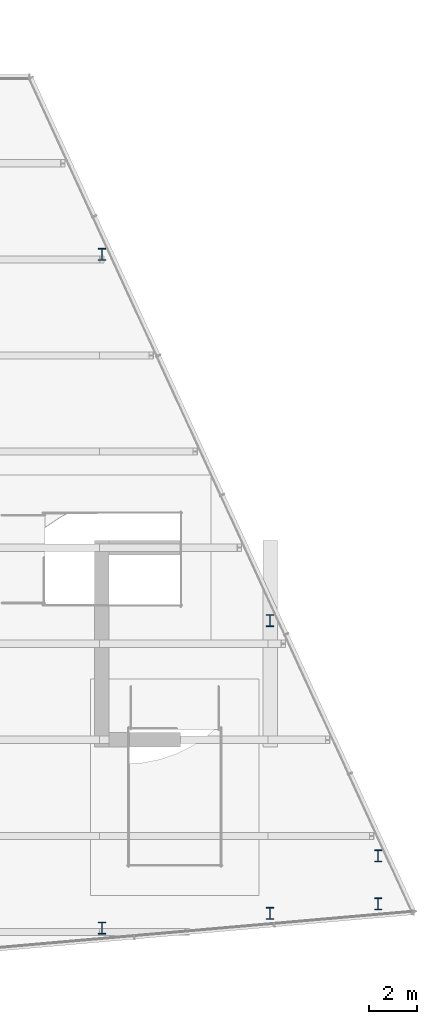
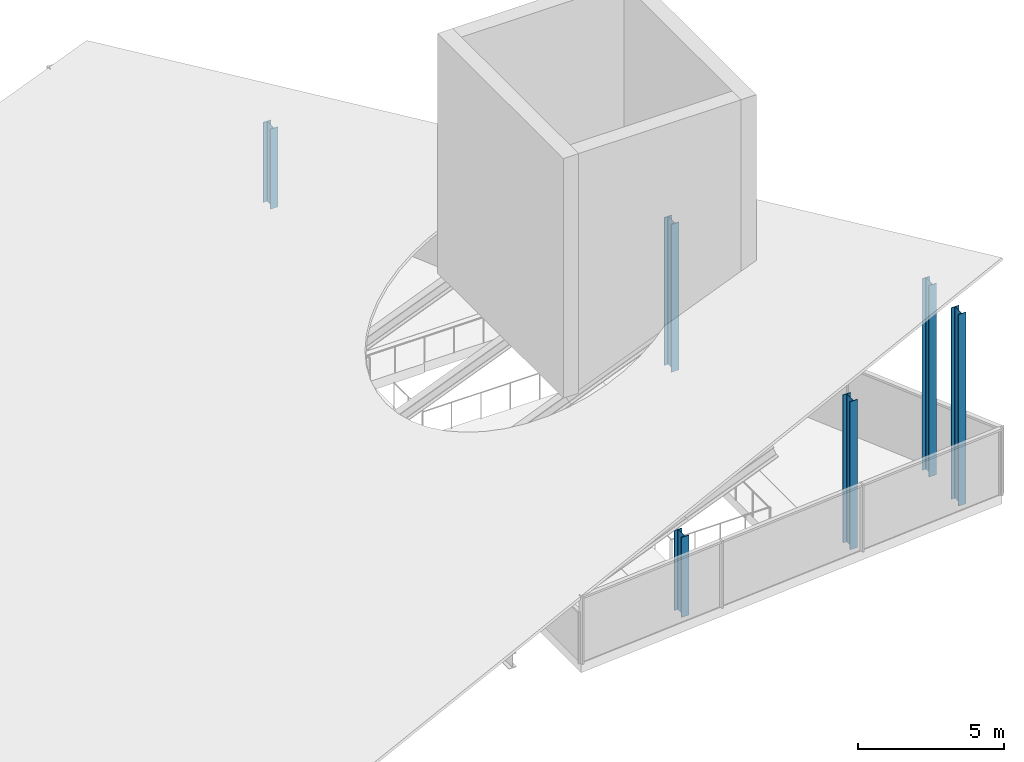
# One storey, part 1 of 8: 6 columns.
"""IFC4 building model written with IfcOpenShell, lengths in metres."""

from ifc_helpers import new_model, si_unit, direction, frame, origin, origin_2d, place, context, subcontext, project, spatial, i_section, extrude, material, material_profile, profile_set, type_object, element, save


model = new_model("IFC4")

# Units and contexts
model_context = context("Model", 3, precision=1e-05, world=origin(), true_north=direction((0.0, 1.0)))
body_context = subcontext(model_context, "Body", "Model", "MODEL_VIEW")
ifc_project = project(units=[si_unit("LENGTHUNIT", "METRE"), si_unit("AREAUNIT", "SQUARE_METRE"), si_unit("VOLUMEUNIT", "CUBIC_METRE"), si_unit("PLANEANGLEUNIT", "RADIAN"), si_unit("MASSUNIT", "GRAM", prefix="KILO")], contexts=[model_context])

# Site, building, storey
site_placement = place(None, origin())
site = spatial("IfcSite", under=ifc_project, at=site_placement, CompositionType="ELEMENT")
building_placement = place(site_placement, origin())
building = spatial("IfcBuilding", under=site, at=building_placement, Name="Wharfspan Tower", CompositionType="ELEMENT")
storey_placement = place(building_placement, frame((0.0, 0.0, 277.100098)))
storey = spatial("IfcBuildingStorey", under=building, at=storey_placement, Name="L71", CompositionType="ELEMENT", Elevation=277.100098)

# Columns
ifc_material = material(Name="Steel S355J2", Category="steel")
ifc_material_profile = material_profile(ifc_material, i_section(OverallWidth=0.300049, OverallDepth=0.5, WebThickness=0.014404, FlangeThickness=0.028076, FilletRadius=0.0271, at=origin_2d()))
ifc_profile_set = profile_set([ifc_material_profile], Name="Steel S355J2")
column_type = type_object("IfcColumnType", Name="Crown column HEB 500", PredefinedType="COLUMN", material=ifc_profile_set)
for number, where, z_axis, x_axis, name in (
    (1, (65.0, 8.162598, 0.0), (0.0, 0.0, 1.0), (1.0, 0.0, 0.0), "Crown column CR7 8 L71"),
    (2, (65.0, 36.211182, 0.0), (0.0, 0.0, 1.0), (1.0, 0.0, 0.0), "Crown column CR7 36 L71"),
):
    element("IfcColumn", number, at=place(storey_placement, frame(where, z_axis=z_axis, x_axis=x_axis)), inside=storey, type_object=column_type, Name=name, PredefinedType="COLUMN", context=body_context, shape_type="SweptSolid", body=[
        extrude(i_section(OverallWidth=0.300049, OverallDepth=0.5, WebThickness=0.014404, FlangeThickness=0.028076, FilletRadius=0.0271, at=origin_2d()), origin(), (0.0, 0.0, 1.0), 3.334473),
    ])
for number, where, z_axis, x_axis, name in (
    (3, (72.0, 8.775146, 0.0), (0.0, 0.0, 1.0), (1.0, 0.0, 0.0), "Crown column CR8 9 L71"),
    (4, (72.0, 20.966797, 0.0), (0.0, 0.0, 1.0), (1.0, 0.0, 0.0), "Crown column CR8 21 L71"),
):
    element("IfcColumn", number, at=place(storey_placement, frame(where, z_axis=z_axis, x_axis=x_axis)), inside=storey, type_object=column_type, Name=name, PredefinedType="COLUMN", context=body_context, shape_type="SweptSolid", body=[
        extrude(i_section(OverallWidth=0.300049, OverallDepth=0.5, WebThickness=0.014404, FlangeThickness=0.028076, FilletRadius=0.0271, at=origin_2d()), origin(), (0.0, 0.0, 1.0), 6.162842),
    ])
for number, where, z_axis, x_axis, name in (
    (5, (76.5, 9.168701, 0.0), (0.0, 0.0, 1.0), (1.0, 0.0, 0.0), "Crown column CR9 9 L71"),
    (6, (76.5, 11.166748, 0.0), (0.0, 0.0, 1.0), (1.0, 0.0, 0.0), "Crown column CR9 11 L71"),
):
    element("IfcColumn", number, at=place(storey_placement, frame(where, z_axis=z_axis, x_axis=x_axis)), inside=storey, type_object=column_type, Name=name, PredefinedType="COLUMN", context=body_context, shape_type="SweptSolid", body=[
        extrude(i_section(OverallWidth=0.300049, OverallDepth=0.5, WebThickness=0.014404, FlangeThickness=0.028076, FilletRadius=0.0271, at=origin_2d()), origin(), (0.0, 0.0, 1.0), 7.980957),
    ])

save(model, "model.ifc")
